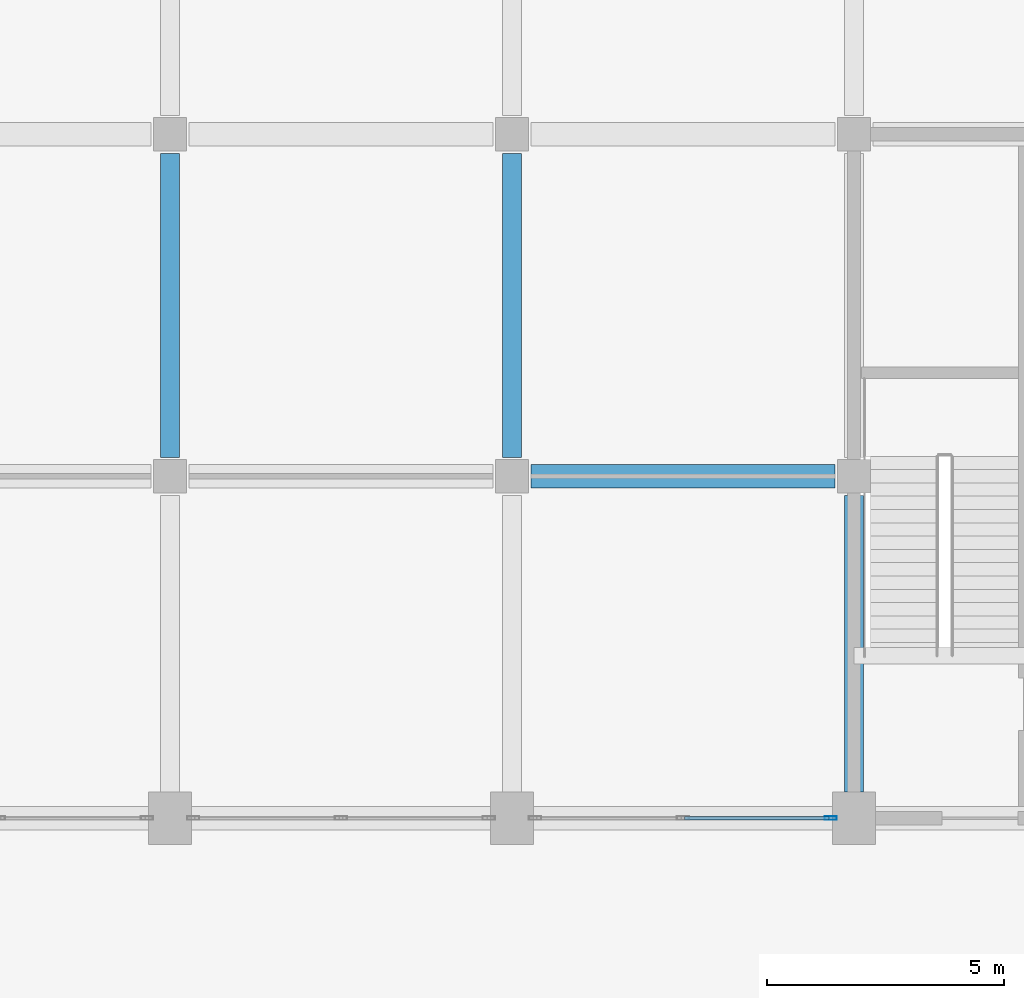
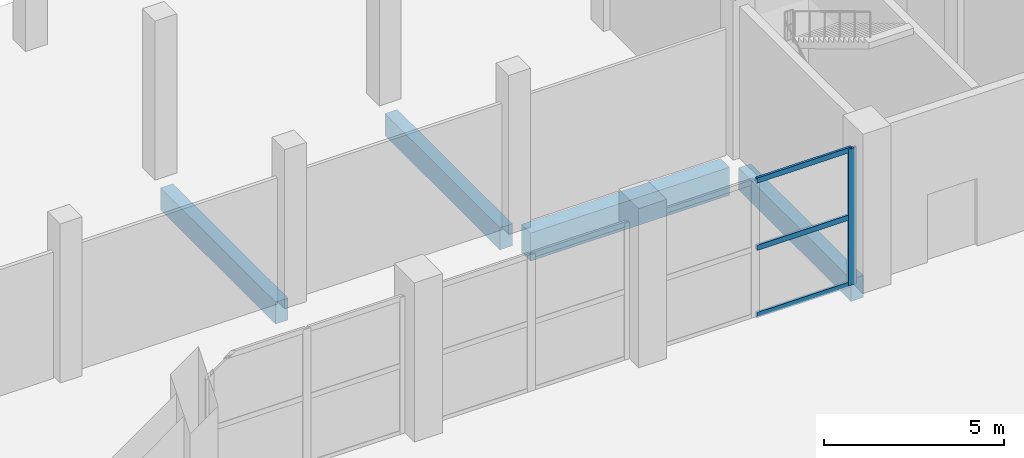
# One storey, part 7 of 70: 4 beams, 4 members, 1 element without a shape of its own.
"""IFC4 building model written with IfcOpenShell, lengths in metres."""

from ifc_helpers import new_model, si_unit, direction, frame, origin, origin_2d, place, context, subcontext, project, spatial, rectangle, hollow_rectangle, extrude, material, material_profile, profile_set, type_object, element, aggregate, save


model = new_model("IFC4")

# Units and contexts
model_context = context("Model", 3, precision=1e-05, world=origin(), true_north=direction((0.0, 1.0)))
body_context = subcontext(model_context, "Body", "Model", "MODEL_VIEW")
ifc_project = project(units=[si_unit("LENGTHUNIT", "METRE"), si_unit("AREAUNIT", "SQUARE_METRE"), si_unit("VOLUMEUNIT", "CUBIC_METRE"), si_unit("PLANEANGLEUNIT", "RADIAN"), si_unit("MASSUNIT", "GRAM", prefix="KILO")], contexts=[model_context])

# Site, building, storey
site_placement = place(None, origin())
site = spatial("IfcSite", under=ifc_project, at=site_placement, CompositionType="ELEMENT")
building_placement = place(site_placement, origin())
building = spatial("IfcBuilding", under=site, at=building_placement, Name="Vesperath Aquatics Centre", CompositionType="ELEMENT")
storey_placement = place(building_placement, origin())
storey = spatial("IfcBuildingStorey", under=building, at=storey_placement, Name="L00", CompositionType="ELEMENT", Elevation=0.0)

# Beams
ifc_material_1 = material(Name="Concrete C40", Category="concrete")
ifc_material_profile_1 = material_profile(ifc_material_1, rectangle(XDim=0.5, YDim=0.949951171875, at=origin_2d()), Name="RC 500x950")
ifc_profile_set_1 = profile_set([ifc_material_profile_1], Name="Concrete C40")
beam_type_1 = type_object("IfcBeamType", Name="BM-G02", PredefinedType="BEAM", material=ifc_profile_set_1)
beam_1_placement = place(storey_placement, frame((43.60009765625, 21.60009765625, -0.7548828125), z_axis=(1.0, 0.0, 0.0), x_axis=(0.0, 1.0, 0.0)))
element("IfcBeam", 1, at=beam_1_placement, inside=storey, type_object=beam_type_1, Name="Floor Girder B02 L00 D 7-8", PredefinedType="BEAM", context=body_context, shape_type="SweptSolid", body=[
    extrude(rectangle(XDim=0.5, YDim=0.949951171875, at=origin_2d()), origin(), (0.0, 0.0, 1.0), 6.39990234375),
])
ifc_material_2 = material(Name="Concrete C35", Category="concrete")
ifc_material_profile_2 = material_profile(ifc_material_2, rectangle(XDim=0.39990234375, YDim=0.75, at=origin_2d()), Name="RC 400x750")
ifc_profile_set_2 = profile_set([ifc_material_profile_2], Name="Concrete C35")
beam_type_2 = type_object("IfcBeamType", Name="BM-G04", PredefinedType="BEAM", material=ifc_profile_set_2)
for number, where, z_axis, x_axis, name in (
    (2, (36.0, 22.0, -0.655029296875), (0.0, 1.0, 0.0), (-1.0, 0.0, 0.0), "Floor Girder B04 L00 6 D-E"),
    (3, (43.199951171875, 22.0, -0.655029296875), (0.0, 1.0, 0.0), (-1.0, 0.0, 0.0), "Floor Girder B04 L00 7 D-E"),
):
    element("IfcBeam", number, at=place(storey_placement, frame(where, z_axis=z_axis, x_axis=x_axis)), inside=storey, type_object=beam_type_2, Name=name, PredefinedType="BEAM", context=body_context, shape_type="SweptSolid", body=[
        extrude(rectangle(XDim=0.39990234375, YDim=0.75, at=origin_2d()), origin(), (0.0, 0.0, 1.0), 6.39990234375),
    ])
beam_2_placement = place(storey_placement, frame((50.39990234375, 14.949951171875, -0.655029296875), z_axis=(0.0, 1.0, 0.0), x_axis=(-1.0, 0.0, 0.0)))
element("IfcBeam", 4, at=beam_2_placement, inside=storey, type_object=beam_type_2, Name="Floor Girder B04 L00 8 C-D", PredefinedType="BEAM", context=body_context, shape_type="SweptSolid", body=[
    extrude(rectangle(XDim=0.39990234375, YDim=0.75, at=origin_2d()), origin(), (0.0, 0.0, 1.0), 6.25),
])

# Curtain wall, members
ifc_material_3 = material(Name="Thermally broken anodised bronze aluminium curtain wall", Category="aluminium")
curtain_wall_type = type_object("IfcCurtainWallType", Name="CW-01", PredefinedType="NOTDEFINED", material=ifc_material_3)
curtain_wall_placement = place(storey_placement, origin())
curtain_wall = element("IfcCurtainWall", 5, at=curtain_wall_placement, inside=storey, type_object=curtain_wall_type, Name="Facade Curtain Wall CW01 L00_S_06_02", PredefinedType="NOTDEFINED")
ifc_material_4 = material(Name="Thermally broken anodised aluminium", Category="aluminium")
ifc_material_profile_3 = material_profile(ifc_material_4, hollow_rectangle(XDim=0.074951171875, YDim=0.260009765625, WallThickness=0.006103515625, at=origin_2d()), Name="CWM 75x260x6")
ifc_profile_set_3 = profile_set([ifc_material_profile_3], Name="Thermally broken anodised aluminium")
member_type_1 = type_object("IfcMemberType", Name="MB-CWM1", PredefinedType="MULLION", material=ifc_profile_set_3)
member_1_placement = place(storey_placement, frame((49.91259765625, 14.39990234375, 0.0), z_axis=(0.0, 0.0, 1.0), x_axis=(0.0, 1.0, 0.0)))
member_1 = element("IfcMember", 6, at=member_1_placement, type_object=member_type_1, Name="CW01 mullion 3", PredefinedType="MULLION", context=body_context, shape_type="SweptSolid", body=[
    extrude(hollow_rectangle(XDim=0.074951171875, YDim=0.260009765625, WallThickness=0.006103515625, at=origin_2d()), origin(), (0.0, 0.0, 1.0), 4.639892578125),
])
ifc_material_profile_4 = material_profile(ifc_material_4, hollow_rectangle(XDim=0.074951171875, YDim=0.179931640625, WallThickness=0.0048828125, at=origin_2d()), Name="CWT 75x180x5")
ifc_profile_set_4 = profile_set([ifc_material_profile_4], Name="Thermally broken anodised aluminium")
member_type_2 = type_object("IfcMemberType", Name="MB-CWT1", PredefinedType="USERDEFINED", material=ifc_profile_set_4)
member_2_placement = place(storey_placement, frame((46.83740234375, 14.39990234375, 0.03759765625), z_axis=(1.0, 0.0, 0.0), x_axis=(0.0, 1.0, 0.0)))
member_2 = element("IfcMember", 7, at=member_2_placement, type_object=member_type_2, Name="CW01 transom 2.1", ObjectType="TRANSOM", PredefinedType="USERDEFINED", context=body_context, shape_type="SweptSolid", body=[
    extrude(hollow_rectangle(XDim=0.074951171875, YDim=0.179931640625, WallThickness=0.0048828125, at=origin_2d()), origin(), (0.0, 0.0, 1.0), 3.03759765625),
])
member_3_placement = place(storey_placement, frame((46.83740234375, 14.39990234375, 2.320068359375), z_axis=(1.0, 0.0, 0.0), x_axis=(0.0, 1.0, 0.0)))
member_3 = element("IfcMember", 8, at=member_3_placement, type_object=member_type_2, Name="CW01 transom 2.2", ObjectType="TRANSOM", PredefinedType="USERDEFINED", context=body_context, shape_type="SweptSolid", body=[
    extrude(hollow_rectangle(XDim=0.074951171875, YDim=0.179931640625, WallThickness=0.0048828125, at=origin_2d()), origin(), (0.0, 0.0, 1.0), 3.03759765625),
])
member_4_placement = place(storey_placement, frame((46.83740234375, 14.39990234375, 4.6025390625), z_axis=(1.0, 0.0, 0.0), x_axis=(0.0, 1.0, 0.0)))
member_4 = element("IfcMember", 9, at=member_4_placement, type_object=member_type_2, Name="CW01 transom 2.3", ObjectType="TRANSOM", PredefinedType="USERDEFINED", context=body_context, shape_type="SweptSolid", body=[
    extrude(hollow_rectangle(XDim=0.074951171875, YDim=0.179931640625, WallThickness=0.0048828125, at=origin_2d()), origin(), (0.0, 0.0, 1.0), 3.03759765625),
])
aggregate(curtain_wall, [member_1, member_2, member_3, member_4])

save(model, "model.ifc")
